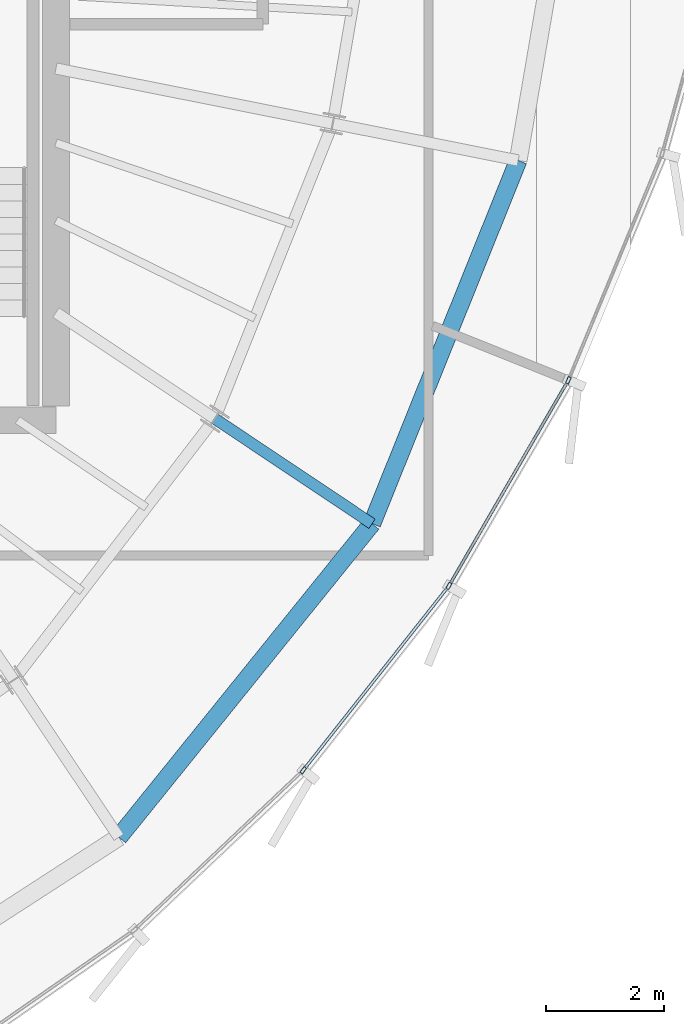
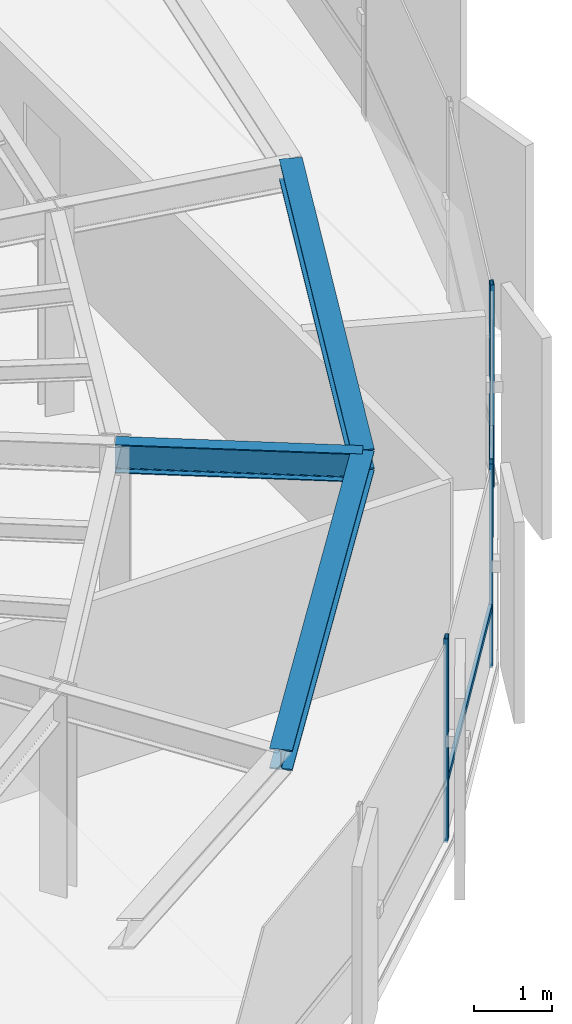
# One storey, part 13 of 34: 5 members, 3 beams, 1 element without a shape of its own.
"""IFC4 building model written with IfcOpenShell, lengths in metres."""

import ifcopenshell
import ifcopenshell.guid

model = None  # the IFC model being written
_history = None  # IfcOwnerHistory: only IFC2X3 demands one
_inside = {}  # id of a spatial element -> (the spatial element, [elements in it])
_under = {}  # id of a project, library or spatial element -> (it, [spatial elements below it])
_declared = {}  # id of a project -> (the project, [libraries it declares])
_typed = {}  # id of a type object -> (the type object, [elements of that type])
_made_of = {}  # id of a material, layer set ... -> (it, [elements and type objects made of it])


def new_model(schema):
    """Start an empty IFC model of exactly this schema.

    Asked for "IFC4X3", IfcOpenShell would pick the latest addendum, in which some entities
    have other attributes; the version numbers below select the first issue.
    IFC2X3 requires an IfcOwnerHistory on every rooted entity: one is made here for all.
    """
    global model, _history
    if schema == "IFC4X3":
        model = ifcopenshell.file(schema_version=(4, 3, 0, 0))
    else:
        model = ifcopenshell.file(schema=schema)
    _inside.clear()
    _under.clear()
    _declared.clear()
    _typed.clear()
    _made_of.clear()
    _history = None
    if model.schema == "IFC2X3":
        org = make("IfcOrganization", Name="unknown")
        user = make(
            "IfcPersonAndOrganization",
            ThePerson=make("IfcPerson", FamilyName="unknown"),
            TheOrganization=org,
        )
        app = make(
            "IfcApplication",
            ApplicationDeveloper=org,
            Version="unknown",
            ApplicationFullName="unknown",
            ApplicationIdentifier="unknown",
        )
        _history = make(
            "IfcOwnerHistory",
            OwningUser=user,
            OwningApplication=app,
            ChangeAction="ADDED",
            CreationDate=0,
        )
    return model


def make(cls, **values):
    """One entity of the class cls with the attributes given. An attribute that is None is left unset."""
    return model.create_entity(
        cls, **{name: value for name, value in values.items() if value is not None}
    )


def rooted(cls, **values):
    """An entity with a GlobalId (a new one), such as an element, a storey or a relation."""
    return make(cls, GlobalId=ifcopenshell.guid.new(), OwnerHistory=_history, **values)


def si_unit(unit_type, name, prefix=None):
    """IfcSIUnit, for example si_unit("LENGTHUNIT", "METRE", prefix="MILLI")."""
    return make("IfcSIUnit", UnitType=unit_type, Prefix=prefix, Name=name)


def assignment(units):
    """IfcUnitAssignment: the units of a project."""
    return None if units is None else make("IfcUnitAssignment", Units=units)


def point(xyz):
    """IfcCartesianPoint."""
    return None if xyz is None else make("IfcCartesianPoint", Coordinates=xyz)


def direction(xyz):
    """IfcDirection."""
    return None if xyz is None else make("IfcDirection", DirectionRatios=xyz)


def frame(location, z_axis=None, x_axis=None):
    """IfcAxis2Placement3D, a coordinate frame: its origin and axes. An axis left out is left unset."""
    return make(
        "IfcAxis2Placement3D",
        Location=point(location),
        Axis=direction(z_axis),
        RefDirection=direction(x_axis),
    )


def frame_2d(location, x_axis=None):
    """IfcAxis2Placement2D, a coordinate frame in the plane: its origin and x axis."""
    return make(
        "IfcAxis2Placement2D", Location=point(location), RefDirection=direction(x_axis)
    )


def origin():
    """The frame at (0, 0, 0) with its axes left unset."""
    return frame((0.0, 0.0, 0.0))


def origin_2d():
    """The frame at (0, 0) in the plane with its x axis left unset."""
    return frame_2d((0.0, 0.0))


def place(relative_to, where):
    """IfcLocalPlacement: puts the frame where relative to a parent placement (None: the world)."""
    return make(
        "IfcLocalPlacement", PlacementRelTo=relative_to, RelativePlacement=where
    )


def context(
    kind, dimensions, precision=None, world=None, true_north=None, identifier=None
):
    """IfcGeometricRepresentationContext, for example the 3D "Model" context."""
    return make(
        "IfcGeometricRepresentationContext",
        ContextIdentifier=identifier,
        ContextType=kind,
        CoordinateSpaceDimension=dimensions,
        Precision=precision,
        WorldCoordinateSystem=world,
        TrueNorth=true_north,
    )


def subcontext(parent, identifier, kind, view, scale=None):
    """IfcGeometricRepresentationSubContext, for example "Body" below "Model"."""
    return make(
        "IfcGeometricRepresentationSubContext",
        ContextIdentifier=identifier,
        ContextType=kind,
        ParentContext=parent,
        TargetScale=scale,
        TargetView=view,
    )


def project(units=None, contexts=None):
    """IfcProject with its units and contexts."""
    return rooted(
        "IfcProject",
        Name="project",
        RepresentationContexts=contexts,
        UnitsInContext=assignment(units),
    )


def spatial(cls, under=None, at=None, **own):
    """A site, building, storey or space (cls), placed at a placement, below another one or the project."""
    s = rooted(cls, ObjectPlacement=at, **own)
    if under is not None:
        _under.setdefault(under.id(), (under, []))[1].append(s)
    return s


def profile(cls, at=None, kind="AREA", **sizes):
    """A parametric profile (cls). Its sizes go by their IFC names, for example OverallWidth=200.0."""
    return make(cls, ProfileType=kind, Position=at, **sizes)


def hollow_rectangle(**sizes):
    """IfcRectangleHollowProfileDef."""
    return profile("IfcRectangleHollowProfileDef", **sizes)


def i_section(**sizes):
    """IfcIShapeProfileDef."""
    return profile("IfcIShapeProfileDef", **sizes)


def extrude(swept, where, along, depth):
    """IfcExtrudedAreaSolid: the profile swept, set in the frame where, extruded along a direction by depth."""
    return make(
        "IfcExtrudedAreaSolid",
        SweptArea=swept,
        Position=where,
        ExtrudedDirection=direction(along),
        Depth=depth,
    )


def shape(context_of_items, identifier, shape_type, items):
    """IfcShapeRepresentation: the items that make up one representation, for example the "Body"."""
    return make(
        "IfcShapeRepresentation",
        ContextOfItems=context_of_items,
        RepresentationIdentifier=identifier,
        RepresentationType=shape_type,
        Items=items,
    )


def source(mapping_origin, context_of_items, identifier, shape_type, items):
    """IfcRepresentationMap: a shape defined once, which mapped items show again and again."""
    return make(
        "IfcRepresentationMap",
        MappingOrigin=mapping_origin,
        MappedRepresentation=shape(context_of_items, identifier, shape_type, items),
    )


def transform(
    local_origin,
    x_axis=None,
    y_axis=None,
    z_axis=None,
    scale=None,
    scale2=None,
    scale3=None,
    uniform=True,
):
    """IfcCartesianTransformationOperator3D, or its non-uniform kind. x_axis, y_axis, z_axis: its Axis1, 2, 3."""
    if uniform:
        return make(
            "IfcCartesianTransformationOperator3D",
            Axis1=direction(x_axis),
            Axis2=direction(y_axis),
            LocalOrigin=point(local_origin),
            Scale=scale,
            Axis3=direction(z_axis),
        )
    return make(
        "IfcCartesianTransformationOperator3DnonUniform",
        Axis1=direction(x_axis),
        Axis2=direction(y_axis),
        LocalOrigin=point(local_origin),
        Scale=scale,
        Axis3=direction(z_axis),
        Scale2=scale2,
        Scale3=scale3,
    )


def mapped(mapping_source, mapping_target):
    """IfcMappedItem: shows the shape of a source again, moved by a transform."""
    return make(
        "IfcMappedItem", MappingSource=mapping_source, MappingTarget=mapping_target
    )


def material(Name=None, Category=None):
    """IfcMaterial."""
    return make("IfcMaterial", Name=Name, Category=Category)


def layer(
    of_material, thickness, ventilated=None, Name=None, Category=None, Priority=None
):
    """IfcMaterialLayer: one layer of a wall or slab, of a material (None: an air gap)."""
    return make(
        "IfcMaterialLayer",
        Material=of_material,
        LayerThickness=thickness,
        IsVentilated=ventilated,
        Name=Name,
        Category=Category,
        Priority=Priority,
    )


def layer_set(layers, Name=None):
    """IfcMaterialLayerSet."""
    return make("IfcMaterialLayerSet", MaterialLayers=layers, LayerSetName=Name)


def material_profile(
    of_material, cross_section, Name=None, Category=None, Priority=None
):
    """IfcMaterialProfile: a cross section and its material."""
    return make(
        "IfcMaterialProfile",
        Name=Name,
        Material=of_material,
        Profile=cross_section,
        Priority=Priority,
        Category=Category,
    )


def profile_set(profiles, Name=None, composite=None):
    """IfcMaterialProfileSet."""
    return make(
        "IfcMaterialProfileSet",
        Name=Name,
        MaterialProfiles=profiles,
        CompositeProfile=composite,
    )


def made_of(thing, what):
    """Note that an element or type object is made of a material, layer set ...; save() writes the relation."""
    if what is not None:
        _made_of.setdefault(what.id(), (what, []))[1].append(thing)
    return thing


def type_object(cls, material=None, **own):
    """A type object (cls), such as IfcWallType, which elements share."""
    return made_of(rooted(cls, **own), material)


def element(
    cls,
    number,
    at=None,
    inside=None,
    cuts=None,
    type_object=None,
    material=None,
    context=None,
    identifier="Body",
    shape_type=None,
    held_by="IfcProductDefinitionShape",
    body=None,
    shapes=None,
    **own,
):
    """One element of the class cls, such as IfcWall. Its Tag is "e" and its number.

    at: its placement. inside: the storey or other place that contains it. cuts: it is an
    opening in that element (IfcRelVoidsElement). A single representation is given by context,
    identifier, shape_type and body (its items); several are given by shapes. held_by: the class
    of the entity that holds the representations. save() writes the other relations.
    """
    e = rooted(cls, Tag="e%d" % number, ObjectPlacement=at, **own)
    if body is not None:
        shapes = [shape(context, identifier, shape_type, body)]
    if shapes is not None:
        e.Representation = make(held_by, Representations=shapes)
    if inside is not None:
        _inside.setdefault(inside.id(), (inside, []))[1].append(e)
    if cuts is not None:
        rooted(
            "IfcRelVoidsElement", RelatingBuildingElement=cuts, RelatedOpeningElement=e
        )
    if type_object is not None:
        _typed.setdefault(type_object.id(), (type_object, []))[1].append(e)
    return made_of(e, material)


def aggregate(whole, parts):
    """IfcRelAggregates: a whole, such as a stair, and the parts it consists of."""
    return rooted("IfcRelAggregates", RelatingObject=whole, RelatedObjects=parts)


def save(model, path):
    """Write the relations noted so far, then the file.

    IfcRelAggregates (storeys below a building ...), IfcRelContainedInSpatialStructure (elements
    in a storey), IfcRelDefinesByType, IfcRelAssociatesMaterial and IfcRelDeclares: one each for
    every whole, place, type object, material and project.
    """
    for whole, parts in _under.values():
        aggregate(whole, parts)
    for where, things in _inside.values():
        rooted(
            "IfcRelContainedInSpatialStructure",
            RelatedElements=things,
            RelatingStructure=where,
        )
    for kind, things in _typed.values():
        rooted("IfcRelDefinesByType", RelatedObjects=things, RelatingType=kind)
    for what, things in _made_of.values():
        rooted("IfcRelAssociatesMaterial", RelatedObjects=things, RelatingMaterial=what)
    for by, libraries in _declared.values():
        rooted("IfcRelDeclares", RelatingContext=by, RelatedDefinitions=libraries)
    model.write(path)


model = new_model("IFC4")

# Units and contexts
model_context = context("Model", 3, precision=1e-05, world=origin(), true_north=direction((0.0, 1.0)))
body_context = subcontext(model_context, "Body", "Model", "MODEL_VIEW")
ifc_project = project(units=[si_unit("LENGTHUNIT", "METRE"), si_unit("AREAUNIT", "SQUARE_METRE"), si_unit("VOLUMEUNIT", "CUBIC_METRE"), si_unit("PLANEANGLEUNIT", "RADIAN"), si_unit("MASSUNIT", "GRAM", prefix="KILO"), si_unit("THERMODYNAMICTEMPERATUREUNIT", "KELVIN")], contexts=[model_context])

# Site, building, storey
site_placement = place(None, origin())
site = spatial("IfcSite", under=ifc_project, at=site_placement, CompositionType="ELEMENT")
building_placement = place(site_placement, origin())
building = spatial("IfcBuilding", under=site, at=building_placement, Name="Kethvar Cultural Tower", CompositionType="ELEMENT")
storey_placement = place(building_placement, frame((0.0, 0.0, 259.449951171875)))
storey = spatial("IfcBuildingStorey", under=building, at=storey_placement, Name="L68", CompositionType="ELEMENT", Elevation=259.449951171875)

# Beams
ifc_material_1 = material(Name="Steel S355J2", Category="steel")
ifc_material_profile_1 = material_profile(ifc_material_1, i_section(OverallWidth=0.18994140625, OverallDepth=0.449951171875, WebThickness=0.009521484375, FlangeThickness=0.0146484375, FilletRadius=0.02099609375, at=origin_2d()), Name="Steel S355J2 — IPE450")
ifc_profile_set_1 = profile_set([ifc_material_profile_1], Name="Steel S355J2 — IPE450")
beam_type_1 = type_object("IfcBeamType", Name="BM-IPE450", PredefinedType="BEAM", material=ifc_profile_set_1)
shared_shape_1 = source(origin(), body_context, "Body", "SweptSolid", [
    extrude(i_section(OverallWidth=0.18994140625, OverallDepth=0.449951171875, WebThickness=0.009521484375, FlangeThickness=0.0146484375, FilletRadius=0.02099609375, at=origin_2d()), origin(), (0.0, 0.0, 1.0), 3.199951171875),
])
beam_1_placement = place(storey_placement, frame((58.287109375, 20.12451171875, 2.983154296875), z_axis=(0.831462943996, -0.555580212716, 0.0), x_axis=(0.555580212716, 0.831462943996, 0.0)))
element("IfcBeam", 1, at=beam_1_placement, inside=storey, type_object=beam_type_1, Name="L68 Perimeter Cantilever Beam RC-15", PredefinedType="BEAM", context=body_context, shape_type="MappedRepresentation", body=[
    mapped(shared_shape_1, transform((0.0, 0.0, 0.0), scale=1.0)),
])
ifc_material_profile_2 = material_profile(ifc_material_1, i_section(OverallWidth=0.300048828125, OverallDepth=0.320068359375, WebThickness=0.011474609375, FlangeThickness=0.0205078125, FilletRadius=0.027099609375, at=origin_2d()), Name="Steel S355J2 — HEB320")
ifc_profile_set_2 = profile_set([ifc_material_profile_2], Name="Steel S355J2 — HEB320")
beam_type_2 = type_object("IfcBeamType", Name="BM-SP320", PredefinedType="SPANDREL", material=ifc_profile_set_2)
shared_shape_2 = source(origin(), body_context, "Body", "SweptSolid", [
    extrude(i_section(OverallWidth=0.300048828125, OverallDepth=0.320068359375, WebThickness=0.011474609375, FlangeThickness=0.0205078125, FilletRadius=0.027099609375, at=origin_2d()), origin(), (0.0, 0.0, 1.0), 6.8212890625),
])
beam_2_placement = place(storey_placement, frame((56.66259765625, 13.039306640625, 3.048095703125), z_axis=(0.628197971595, 0.778053538315, 0.0), x_axis=(-0.778053538315, 0.628197971595, 0.0)))
element("IfcBeam", 2, at=beam_2_placement, inside=storey, type_object=beam_type_2, Name="L68 Perimeter Spandrel Beam SP-14", PredefinedType="SPANDREL", context=body_context, shape_type="MappedRepresentation", body=[
    mapped(shared_shape_2, transform((0.0, 0.0, 0.0), scale=1.0)),
])
shared_shape_3 = source(origin(), body_context, "Body", "SweptSolid", [
    extrude(i_section(OverallWidth=0.300048828125, OverallDepth=0.320068359375, WebThickness=0.011474609375, FlangeThickness=0.0205078125, FilletRadius=0.027099609375, at=origin_2d()), origin(), (0.0, 0.0, 1.0), 6.626220703125),
])
beam_3_placement = place(storey_placement, frame((60.94775390625, 18.3466796875, 3.048095703125), z_axis=(0.373416224197, 0.927663906545, 0.0), x_axis=(-0.927663906545, 0.373416224197, 0.0)))
element("IfcBeam", 3, at=beam_3_placement, inside=storey, type_object=beam_type_2, Name="L68 Perimeter Spandrel Beam SP-15", PredefinedType="SPANDREL", context=body_context, shape_type="MappedRepresentation", body=[
    mapped(shared_shape_3, transform((0.0, 0.0, 0.0), scale=1.0)),
])

# Curtain wall, members
ifc_material_2 = material(Name="Aluminium 6063-T6", Category="aluminium")
ifc_layer = layer(ifc_material_2, 0.179931640625, Name="Aluminium 6063-T6", Category="aluminium")
ifc_layer_set = layer_set([ifc_layer], Name="Aluminium 6063-T6 (180 mm)")
curtain_wall_type = type_object("IfcCurtainWallType", Name="CW-SYS-05-Z56", PredefinedType="NOTDEFINED", material=ifc_layer_set)
curtain_wall_placement = place(storey_placement, origin())
curtain_wall = element("IfcCurtainWall", 4, at=curtain_wall_placement, inside=storey, type_object=curtain_wall_type, Name="L68 Curtain Wall Run 05", PredefinedType="NOTDEFINED")
ifc_material_profile_3 = material_profile(ifc_material_2, hollow_rectangle(XDim=0.054931640625, YDim=0.1201171875, WallThickness=0.00390625, at=origin_2d()), Name="Aluminium 6063-T6 — RHS120x55x4")
ifc_profile_set_3 = profile_set([ifc_material_profile_3], Name="Aluminium 6063-T6 — RHS120x55x4")
member_type_1 = type_object("IfcMemberType", Name="CW-SYS-05-Z56-MUL", PredefinedType="MULLION", material=ifc_profile_set_3)
shared_shape_4 = source(origin(), body_context, "Body", "SweptSolid", [
    extrude(hollow_rectangle(XDim=0.054931640625, YDim=0.1201171875, WallThickness=0.00390625, at=origin_2d()), origin(), (0.0, 0.0, 1.0), 3.2099609375),
])
member_1_placement = place(storey_placement, frame((59.784423828125, 14.173828125, 0.0), z_axis=(0.0, 0.0, 1.0), x_axis=(-0.784743917903, 0.61982012174, 0.0)))
member_1 = element("IfcMember", 5, at=member_1_placement, type_object=member_type_1, Name="CW-L68-R05 Mullion 3", PredefinedType="MULLION", context=body_context, shape_type="MappedRepresentation", body=[
    mapped(shared_shape_4, transform((0.0, 0.0, 0.0), scale=1.0)),
])
member_2_placement = place(storey_placement, frame((62.248779296875, 17.29248046875, 0.0), z_axis=(0.0, 0.0, 1.0), x_axis=(-0.864722206576, 0.50225044097, 0.0)))
member_2 = element("IfcMember", 6, at=member_2_placement, type_object=member_type_1, Name="CW-L68-R05 Mullion 4", PredefinedType="MULLION", context=body_context, shape_type="MappedRepresentation", body=[
    mapped(shared_shape_4, transform((0.0, 0.0, 0.0), scale=1.0)),
])
member_3_placement = place(storey_placement, frame((64.271484375, 20.773193359375, 0.0), z_axis=(0.0, 0.0, 1.0), x_axis=(-0.924086448937, 0.382183509445, 0.0)))
member_3 = element("IfcMember", 7, at=member_3_placement, type_object=member_type_1, Name="CW-L68-R05 Mullion 5", PredefinedType="MULLION", context=body_context, shape_type="MappedRepresentation", body=[
    mapped(shared_shape_4, transform((0.0, 0.0, 0.0), scale=1.0)),
])
ifc_material_profile_4 = material_profile(ifc_material_2, hollow_rectangle(XDim=0.050048828125, YDim=0.10009765625, WallThickness=0.00390625, at=origin_2d()), Name="Aluminium 6063-T6 — RHS100x50x4")
ifc_profile_set_4 = profile_set([ifc_material_profile_4], Name="Aluminium 6063-T6 — RHS100x50x4")
member_type_2 = type_object("IfcMemberType", Name="CW-SYS-05-Z56-TRN", PredefinedType="USERDEFINED", material=ifc_profile_set_4)
shared_shape_5 = source(origin(), body_context, "Body", "SweptSolid", [
    extrude(hollow_rectangle(XDim=0.050048828125, YDim=0.10009765625, WallThickness=0.00390625, at=origin_2d()), origin(), (0.0, 0.0, 1.0), 3.9599609375),
])
member_4_placement = place(storey_placement, frame((62.268798828125, 17.32666015625, 0.949951171875), z_axis=(0.502221780498, 0.864738852598, 0.0), x_axis=(-0.864738852598, 0.502221780498, 0.0)))
member_4 = element("IfcMember", 8, at=member_4_placement, type_object=member_type_2, Name="CW-L68-R05 Transom 4", ObjectType="TRANSOM", PredefinedType="USERDEFINED", context=body_context, shape_type="MappedRepresentation", body=[
    mapped(shared_shape_5, transform((0.0, 0.0, 0.0), scale=1.0)),
])
shared_shape_6 = source(origin(), body_context, "Body", "SweptSolid", [
    extrude(hollow_rectangle(XDim=0.050048828125, YDim=0.10009765625, WallThickness=0.00390625, at=origin_2d()), origin(), (0.0, 0.0, 1.0), 3.90966796875),
])
member_5_placement = place(storey_placement, frame((59.80908203125, 14.205078125, 0.949951171875), z_axis=(0.619824466295, 0.784740486392, 0.0), x_axis=(-0.784740486392, 0.619824466295, 0.0)))
member_5 = element("IfcMember", 9, at=member_5_placement, type_object=member_type_2, Name="CW-L68-R05 Transom 3", ObjectType="TRANSOM", PredefinedType="USERDEFINED", context=body_context, shape_type="MappedRepresentation", body=[
    mapped(shared_shape_6, transform((0.0, 0.0, 0.0), scale=1.0)),
])
aggregate(curtain_wall, [member_1, member_2, member_3, member_5, member_4])

save(model, "model.ifc")
